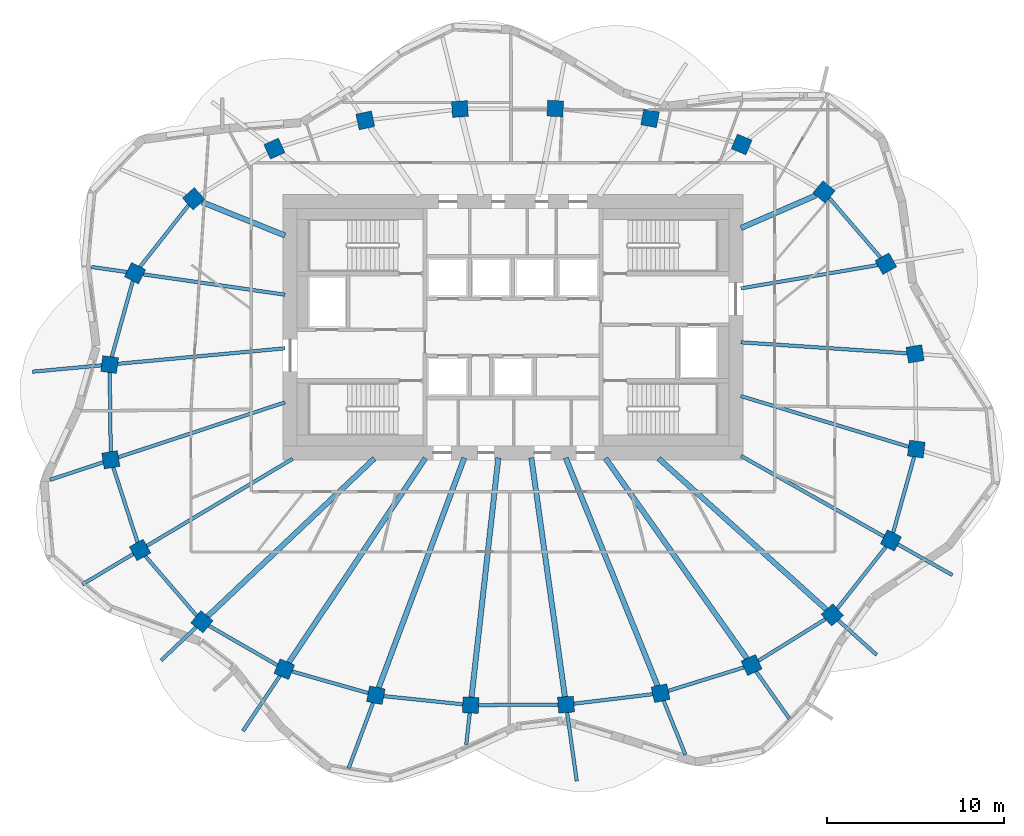
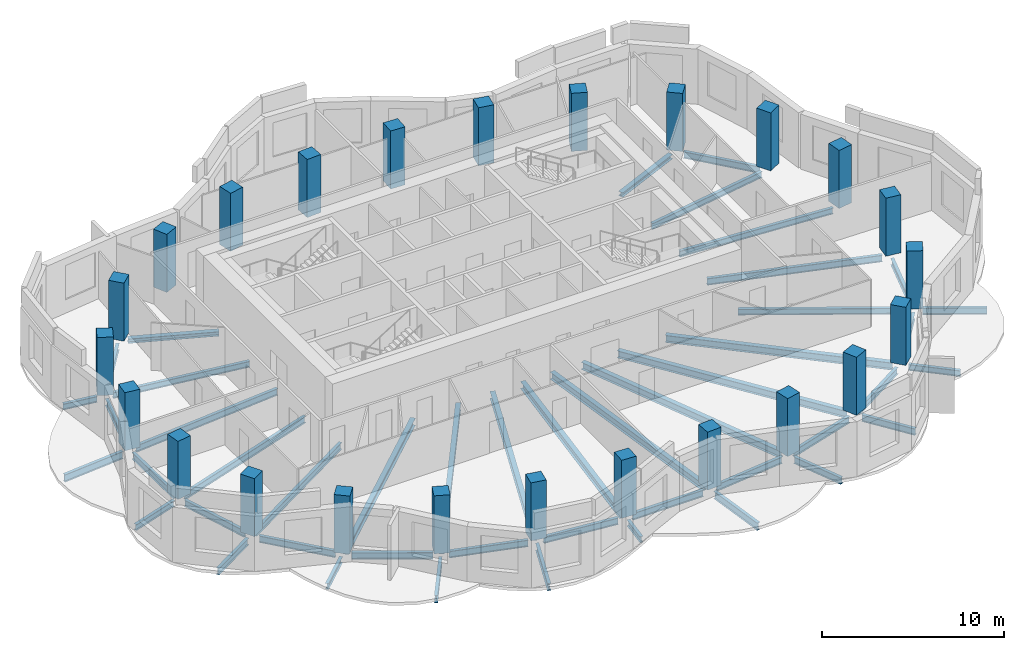
# One storey, part 1 of 10: 46 beams, 24 columns.
"""IFC4 building model written with IfcOpenShell, lengths in metres."""

from ifc_helpers import new_model, si_unit, direction, frame, origin, origin_2d, place, context, subcontext, project, spatial, rectangle, i_section, extrude, material, material_profile, profile_set, type_object, element, save


model = new_model("IFC4")

# Units and contexts
model_context = context("Model", 3, precision=1e-05, world=origin(), true_north=direction((0.0, 1.0)))
body_context = subcontext(model_context, "Body", "Model", "MODEL_VIEW")
ifc_project = project(units=[si_unit("LENGTHUNIT", "METRE"), si_unit("AREAUNIT", "SQUARE_METRE"), si_unit("VOLUMEUNIT", "CUBIC_METRE"), si_unit("PLANEANGLEUNIT", "RADIAN"), si_unit("MASSUNIT", "GRAM", prefix="KILO")], contexts=[model_context])

# Site, building, storey
site_placement = place(None, origin())
site = spatial("IfcSite", under=ifc_project, at=site_placement, CompositionType="ELEMENT")
building_placement = place(site_placement, origin())
building = spatial("IfcBuilding", under=site, at=building_placement, Name="Rubra Terraces Tower", CompositionType="ELEMENT")
storey_placement = place(building_placement, frame((0.0, 0.0, 296.10009765625)))
storey = spatial("IfcBuildingStorey", under=building, at=storey_placement, Name="L73", CompositionType="ELEMENT", Elevation=296.10009765625)

# Columns
ifc_material_1 = material(Name="Concrete C50", Category="concrete")
ifc_material_profile_1 = material_profile(ifc_material_1, rectangle(XDim=0.89990234375, YDim=0.89990234375, at=origin_2d()), Name="RC 900x900")
ifc_profile_set_1 = profile_set([ifc_material_profile_1], Name="Concrete C50")
column_type = type_object("IfcColumnType", Name="RING COLUMN RC 900x900 C50", PredefinedType="COLUMN", material=ifc_profile_set_1)
for number, where, z_axis, x_axis, name in (
    (1, (22.73388671875, 2.992919921875, 0.0), (0.0, 0.0, 1.0), (-0.162062155721, 0.986780551938, 0.0), "column-L73-ring-01"),
    (2, (21.0810546875, 8.090087890625, 0.0), (0.0, 0.0, 1.0), (-0.490161823029, 0.8716314515, 0.0), "column-L73-ring-02"),
    (3, (17.583984375, 12.15087890625, 0.0), (0.0, 0.0, 1.0), (-0.770679191336, 0.637223339216, 0.0), "column-L73-ring-03"),
    (4, (12.927001953125, 14.83203125, 0.0), (0.0, 0.0, 1.0), (-0.92110553102, 0.389312985558, 0.0), "column-L73-ring-04"),
    (5, (7.7509765625, 16.306884765625, 0.0), (0.0, 0.0, 1.0), (-0.981936574306, 0.189210369799, 0.0), "column-L73-ring-05"),
    (6, (2.39208984375, 16.862060546875, 0.0), (0.0, 0.0, 1.0), (-0.998791416829, 0.049149828786, 0.0), "column-L73-ring-06"),
    (7, (-2.9990234375, 16.8359375, 0.0), (0.0, 0.0, 1.0), (-0.998059443319, -0.062268351524, 0.0), "column-L73-ring-07"),
    (8, (-8.346923828125, 16.19189453125, 0.0), (0.0, 0.0, 1.0), (-0.977944102772, -0.208866780156, 0.0), "column-L73-ring-08"),
    (9, (-13.487060546875, 14.595947265625, 0.0), (0.0, 0.0, 1.0), (-0.90972649622, -0.415208022652, 0.0), "column-L73-ring-09"),
    (10, (-18.051025390625, 11.762939453125, 0.0), (0.0, 0.0, 1.0), (-0.7456420961, -0.66634665492, 0.0), "column-L73-ring-10"),
    (11, (-21.366943359375, 7.553955078125, 0.0), (0.0, 0.0, 1.0), (-0.452078869866, -0.891977968013, 0.0), "column-L73-ring-11"),
    (12, (-22.802001953125, 2.388916015625, 0.0), (0.0, 0.0, 1.0), (-0.128535191473, -0.991704948336, 0.0), "column-L73-ring-12"),
    (13, (-22.73388671875, -2.992919921875, 0.0), (0.0, 0.0, 1.0), (0.162062155721, -0.986780551938, 0.0), "column-L73-ring-13"),
    (14, (-21.0810546875, -8.090087890625, 0.0), (0.0, 0.0, 1.0), (0.490161823029, -0.8716314515, 0.0), "column-L73-ring-14"),
    (15, (-17.583984375, -12.15087890625, 0.0), (0.0, 0.0, 1.0), (0.770679191336, -0.637223339216, 0.0), "column-L73-ring-15"),
    (16, (-12.927001953125, -14.83203125, 0.0), (0.0, 0.0, 1.0), (0.92110553102, -0.389312985558, 0.0), "column-L73-ring-16"),
    (17, (-7.7509765625, -16.306884765625, 0.0), (0.0, 0.0, 1.0), (0.981936574306, -0.189210369799, 0.0), "column-L73-ring-17"),
    (18, (-2.39208984375, -16.862060546875, 0.0), (0.0, 0.0, 1.0), (0.998791416829, -0.049149828786, 0.0), "column-L73-ring-18"),
    (19, (2.9990234375, -16.8359375, 0.0), (0.0, 0.0, 1.0), (0.998059443319, 0.062268351524, 0.0), "column-L73-ring-19"),
    (20, (8.346923828125, -16.19189453125, 0.0), (0.0, 0.0, 1.0), (0.977944102772, 0.208866780156, 0.0), "column-L73-ring-20"),
    (21, (13.487060546875, -14.595947265625, 0.0), (0.0, 0.0, 1.0), (0.90972649622, 0.415208022652, 0.0), "column-L73-ring-21"),
    (22, (18.051025390625, -11.762939453125, 0.0), (0.0, 0.0, 1.0), (0.7456420961, 0.66634665492, 0.0), "column-L73-ring-22"),
    (23, (21.366943359375, -7.553955078125, 0.0), (0.0, 0.0, 1.0), (0.452078869866, 0.891977968013, 0.0), "column-L73-ring-23"),
    (24, (22.802001953125, -2.388916015625, 0.0), (0.0, 0.0, 1.0), (0.128535191473, 0.991704948336, 0.0), "column-L73-ring-24"),
):
    element("IfcColumn", number, at=place(storey_placement, frame(where, z_axis=z_axis, x_axis=x_axis)), inside=storey, type_object=column_type, Name=name, PredefinedType="COLUMN", context=body_context, shape_type="SweptSolid", body=[
        extrude(rectangle(XDim=0.89990234375, YDim=0.89990234375, at=origin_2d()), origin(), (0.0, 0.0, 1.0), 3.89990234375),
    ])

# Beams
ifc_material_2 = material(Name="Steel Q355B", Category="steel")
ifc_material_profile_2 = material_profile(ifc_material_2, i_section(OverallWidth=0.199951171875, OverallDepth=0.39990234375, WebThickness=0.008056640625, FlangeThickness=0.012939453125, at=origin_2d()), Name="HN 400x200x8x13")
ifc_profile_set_2 = profile_set([ifc_material_profile_2], Name="Steel Q355B")
beam_type_1 = type_object("IfcBeamType", Name="CANTILEVER BEAM HN 400x200x8x13", PredefinedType="BEAM", material=ifc_profile_set_2)
beam_1_placement = place(storey_placement, frame((-21.8369140625, 7.62109375, -0.400146484375), z_axis=(-0.989964120176, 0.141318932785, 0.0), x_axis=(-0.141318932785, -0.989964120176, 0.0)))
element("IfcBeam", 25, at=beam_1_placement, inside=storey, type_object=beam_type_1, Name="beam-L73-cant-11", PredefinedType="BEAM", context=body_context, shape_type="SweptSolid", body=[
    extrude(i_section(OverallWidth=0.199951171875, OverallDepth=0.39990234375, WebThickness=0.008056640625, FlangeThickness=0.012939453125, at=origin_2d()), origin(), (0.0, 0.0, 1.0), 2.002197265625),
])
beam_2_placement = place(storey_placement, frame((-23.1669921875, -3.135986328125, -0.400146484375), z_axis=(-0.949818780209, -0.312800710935, 0.0), x_axis=(0.312800710935, -0.949818780209, 0.0)))
element("IfcBeam", 26, at=beam_2_placement, inside=storey, type_object=beam_type_1, Name="beam-L73-cant-13", PredefinedType="BEAM", context=body_context, shape_type="SweptSolid", body=[
    extrude(i_section(OverallWidth=0.199951171875, OverallDepth=0.39990234375, WebThickness=0.008056640625, FlangeThickness=0.012939453125, at=origin_2d()), origin(), (0.0, 0.0, 1.0), 3.1650390625),
])
beam_3_placement = place(storey_placement, frame((-17.9130859375, -12.462890625, -0.400146484375), z_axis=(-0.726108422197, -0.687580220203, 0.0), x_axis=(0.687580220203, -0.726108422197, 0.0)))
element("IfcBeam", 27, at=beam_3_placement, inside=storey, type_object=beam_type_1, Name="beam-L73-cant-15", PredefinedType="BEAM", context=body_context, shape_type="SweptSolid", body=[
    extrude(i_section(OverallWidth=0.199951171875, OverallDepth=0.39990234375, WebThickness=0.008056640625, FlangeThickness=0.012939453125, at=origin_2d()), origin(), (0.0, 0.0, 1.0), 2.718505859375),
])
beam_4_placement = place(storey_placement, frame((-2.44189453125, -17.31005859375, -0.400146484375), z_axis=(-0.111702290229, -0.99374171612, 0.0), x_axis=(0.99374171612, -0.111702290229, 0.0)))
element("IfcBeam", 28, at=beam_4_placement, inside=storey, type_object=beam_type_1, Name="beam-L73-cant-18", PredefinedType="BEAM", context=body_context, shape_type="SweptSolid", body=[
    extrude(i_section(OverallWidth=0.199951171875, OverallDepth=0.39990234375, WebThickness=0.008056640625, FlangeThickness=0.012939453125, at=origin_2d()), origin(), (0.0, 0.0, 1.0), 1.792236328125),
])
beam_5_placement = place(storey_placement, frame((18.386962890625, -12.06591796875, -0.400146484375), z_axis=(0.742932803454, -0.669366005674, 0.0), x_axis=(0.669366005674, 0.742932803454, 0.0)))
element("IfcBeam", 29, at=beam_5_placement, inside=storey, type_object=beam_type_1, Name="beam-L73-cant-22", PredefinedType="BEAM", context=body_context, shape_type="SweptSolid", body=[
    extrude(i_section(OverallWidth=0.199951171875, OverallDepth=0.39990234375, WebThickness=0.008056640625, FlangeThickness=0.012939453125, at=origin_2d()), origin(), (0.0, 0.0, 1.0), 2.923828125),
])
ifc_material_profile_3 = material_profile(ifc_material_2, i_section(OverallWidth=0.198974609375, OverallDepth=0.446044921875, WebThickness=0.008056640625, FlangeThickness=0.011962890625, at=origin_2d()), Name="HN 446x199x8x12")
ifc_profile_set_3 = profile_set([ifc_material_profile_3], Name="Steel Q355B")
beam_type_2 = type_object("IfcBeamType", Name="CANTILEVER BEAM HN 446x199x8x12", PredefinedType="BEAM", material=ifc_profile_set_3)
beam_6_placement = place(storey_placement, frame((-21.467041015625, -8.321044921875, -0.423095703125), z_axis=(-0.858537929112, -0.51275006024, 0.0), x_axis=(0.51275006024, -0.858537929112, 0.0)))
element("IfcBeam", 30, at=beam_6_placement, inside=storey, type_object=beam_type_2, Name="beam-L73-cant-14", PredefinedType="BEAM", context=body_context, shape_type="SweptSolid", body=[
    extrude(i_section(OverallWidth=0.198974609375, OverallDepth=0.446044921875, WebThickness=0.008056640625, FlangeThickness=0.011962890625, at=origin_2d()), origin(), (0.0, 0.0, 1.0), 3.3544921875),
])
beam_7_placement = place(storey_placement, frame((8.51806640625, -16.615966796875, -0.423095703125), z_axis=(0.374201866124, -0.927347272271, 0.0), x_axis=(0.927347272271, 0.374201866124, 0.0)))
element("IfcBeam", 31, at=beam_7_placement, inside=storey, type_object=beam_type_2, Name="beam-L73-cant-20", PredefinedType="BEAM", context=body_context, shape_type="SweptSolid", body=[
    extrude(i_section(OverallWidth=0.198974609375, OverallDepth=0.446044921875, WebThickness=0.008056640625, FlangeThickness=0.011962890625, at=origin_2d()), origin(), (0.0, 0.0, 1.0), 3.292236328125),
])
beam_8_placement = place(storey_placement, frame((13.7509765625, -14.969970703125, -0.423095703125), z_axis=(0.576765924667, -0.816909461411, 0.0), x_axis=(0.816909461411, 0.576765924667, 0.0)))
element("IfcBeam", 32, at=beam_8_placement, inside=storey, type_object=beam_type_2, Name="beam-L73-cant-21", PredefinedType="BEAM", context=body_context, shape_type="SweptSolid", body=[
    extrude(i_section(OverallWidth=0.198974609375, OverallDepth=0.446044921875, WebThickness=0.008056640625, FlangeThickness=0.011962890625, at=origin_2d()), origin(), (0.0, 0.0, 1.0), 3.244140625),
])
beam_9_placement = place(storey_placement, frame((21.759033203125, -7.77490234375, -0.423095703125), z_axis=(0.870945880777, -0.49137895026, 0.0), x_axis=(0.49137895026, 0.870945880777, 0.0)))
element("IfcBeam", 33, at=beam_9_placement, inside=storey, type_object=beam_type_2, Name="beam-L73-cant-23", PredefinedType="BEAM", context=body_context, shape_type="SweptSolid", body=[
    extrude(i_section(OverallWidth=0.198974609375, OverallDepth=0.446044921875, WebThickness=0.008056640625, FlangeThickness=0.011962890625, at=origin_2d()), origin(), (0.0, 0.0, 1.0), 3.53515625),
])
ifc_material_profile_4 = material_profile(ifc_material_2, i_section(OverallWidth=0.198974609375, OverallDepth=0.49609375, WebThickness=0.009033203125, FlangeThickness=0.013916015625, at=origin_2d()), Name="HN 496x199x9x14")
ifc_profile_set_4 = profile_set([ifc_material_profile_4], Name="Steel Q355B")
beam_type_3 = type_object("IfcBeamType", Name="CANTILEVER BEAM HN 496x199x9x14", PredefinedType="BEAM", material=ifc_profile_set_4)
beam_10_placement = place(storey_placement, frame((-23.260986328125, 2.345947265625, -0.447998046875), z_axis=(-0.995751576587, -0.092080387299, 0.0), x_axis=(0.092080387299, -0.995751576587, 0.0)))
element("IfcBeam", 34, at=beam_10_placement, inside=storey, type_object=beam_type_3, Name="beam-L73-cant-12", PredefinedType="BEAM", context=body_context, shape_type="SweptSolid", body=[
    extrude(i_section(OverallWidth=0.198974609375, OverallDepth=0.49609375, WebThickness=0.009033203125, FlangeThickness=0.013916015625, at=origin_2d()), origin(), (0.0, 0.0, 1.0), 3.918701171875),
])
beam_11_placement = place(storey_placement, frame((-13.181884765625, -15.212890625, -0.447998046875), z_axis=(-0.555692252439, -0.831388068582, 0.0), x_axis=(0.831388068582, -0.555692252439, 0.0)))
element("IfcBeam", 35, at=beam_11_placement, inside=storey, type_object=beam_type_3, Name="beam-L73-cant-16", PredefinedType="BEAM", context=body_context, shape_type="SweptSolid", body=[
    extrude(i_section(OverallWidth=0.198974609375, OverallDepth=0.49609375, WebThickness=0.009033203125, FlangeThickness=0.013916015625, at=origin_2d()), origin(), (0.0, 0.0, 1.0), 3.746826171875),
])
beam_12_placement = place(storey_placement, frame((-7.909912109375, -16.735107421875, -0.447998046875), z_axis=(-0.349192039845, -0.937051182865, 0.0), x_axis=(0.937051182865, -0.349192039845, 0.0)))
element("IfcBeam", 36, at=beam_12_placement, inside=storey, type_object=beam_type_3, Name="beam-L73-cant-17", PredefinedType="BEAM", context=body_context, shape_type="SweptSolid", body=[
    extrude(i_section(OverallWidth=0.198974609375, OverallDepth=0.49609375, WebThickness=0.009033203125, FlangeThickness=0.013916015625, at=origin_2d()), origin(), (0.0, 0.0, 1.0), 3.949462890625),
])
beam_13_placement = place(storey_placement, frame((3.06201171875, -17.282958984375, -0.447998046875), z_axis=(0.139113240656, -0.990276479714, 0.0), x_axis=(0.990276479714, 0.139113240656, 0.0)))
element("IfcBeam", 37, at=beam_13_placement, inside=storey, type_object=beam_type_3, Name="beam-L73-cant-19", PredefinedType="BEAM", context=body_context, shape_type="SweptSolid", body=[
    extrude(i_section(OverallWidth=0.198974609375, OverallDepth=0.49609375, WebThickness=0.009033203125, FlangeThickness=0.013916015625, at=origin_2d()), origin(), (0.0, 0.0, 1.0), 3.91015625),
])
ifc_material_profile_5 = material_profile(ifc_material_2, i_section(OverallWidth=0.300048828125, OverallDepth=0.48193359375, WebThickness=0.010986328125, FlangeThickness=0.014892578125, at=origin_2d()), Name="HM 482x300x11x15")
ifc_profile_set_5 = profile_set([ifc_material_profile_5], Name="Steel Q355B")
beam_type_4 = type_object("IfcBeamType", Name="FLOOR BEAM HM 482x300x11x15", PredefinedType="BEAM", material=ifc_profile_set_5)
beam_14_placement = place(storey_placement, frame((-17.2548828125, -11.839111328125, -0.441162109375), z_axis=(0.726101482513, 0.687587548674, 0.0), x_axis=(-0.687587548674, 0.726101482513, 0.0)))
element("IfcBeam", 38, at=beam_14_placement, inside=storey, type_object=beam_type_4, Name="beam-L73-floor-15", PredefinedType="BEAM", context=body_context, shape_type="SweptSolid", body=[
    extrude(i_section(OverallWidth=0.300048828125, OverallDepth=0.48193359375, WebThickness=0.010986328125, FlangeThickness=0.014892578125, at=origin_2d()), origin(), (0.0, 0.0, 1.0), 12.97607421875),
])
beam_15_placement = place(storey_placement, frame((-12.672119140625, -14.450927734375, -0.441162109375), z_axis=(0.55586735335, 0.831271006038, 0.0), x_axis=(-0.831271006038, 0.55586735335, 0.0)))
element("IfcBeam", 39, at=beam_15_placement, inside=storey, type_object=beam_type_4, Name="beam-L73-floor-16", PredefinedType="BEAM", context=body_context, shape_type="SweptSolid", body=[
    extrude(i_section(OverallWidth=0.300048828125, OverallDepth=0.48193359375, WebThickness=0.010986328125, FlangeThickness=0.014892578125, at=origin_2d()), origin(), (0.0, 0.0, 1.0), 13.8955078125),
])
beam_16_placement = place(storey_placement, frame((-7.592041015625, -15.87890625, -0.441162109375), z_axis=(0.349129035616, 0.937074658973, 0.0), x_axis=(-0.937074658973, 0.349129035616, 0.0)))
element("IfcBeam", 40, at=beam_16_placement, inside=storey, type_object=beam_type_4, Name="beam-L73-floor-17", PredefinedType="BEAM", context=body_context, shape_type="SweptSolid", body=[
    extrude(i_section(OverallWidth=0.300048828125, OverallDepth=0.48193359375, WebThickness=0.010986328125, FlangeThickness=0.014892578125, at=origin_2d()), origin(), (0.0, 0.0, 1.0), 13.86328125),
])
beam_17_placement = place(storey_placement, frame((-2.342041015625, -16.4140625, -0.441162109375), z_axis=(0.111334672678, 0.993782969596, 0.0), x_axis=(-0.993782969596, 0.111334672678, 0.0)))
element("IfcBeam", 41, at=beam_17_placement, inside=storey, type_object=beam_type_4, Name="beam-L73-floor-18", PredefinedType="BEAM", context=body_context, shape_type="SweptSolid", body=[
    extrude(i_section(OverallWidth=0.300048828125, OverallDepth=0.48193359375, WebThickness=0.010986328125, FlangeThickness=0.014892578125, at=origin_2d()), origin(), (0.0, 0.0, 1.0), 13.61767578125),
])
beam_18_placement = place(storey_placement, frame((2.93603515625, -16.388916015625, -0.441162109375), z_axis=(-0.139140748081, 0.990272615103, 0.0), x_axis=(-0.990272615103, -0.139140748081, 0.0)))
element("IfcBeam", 42, at=beam_18_placement, inside=storey, type_object=beam_type_4, Name="beam-L73-floor-19", PredefinedType="BEAM", context=body_context, shape_type="SweptSolid", body=[
    extrude(i_section(OverallWidth=0.300048828125, OverallDepth=0.48193359375, WebThickness=0.010986328125, FlangeThickness=0.014892578125, at=origin_2d()), origin(), (0.0, 0.0, 1.0), 13.640380859375),
])
beam_19_placement = place(storey_placement, frame((8.176025390625, -15.76806640625, -0.441162109375), z_axis=(-0.374083693877, 0.927394948215, 0.0), x_axis=(-0.927394948215, -0.374083693877, 0.0)))
element("IfcBeam", 43, at=beam_19_placement, inside=storey, type_object=beam_type_4, Name="beam-L73-floor-20", PredefinedType="BEAM", context=body_context, shape_type="SweptSolid", body=[
    extrude(i_section(OverallWidth=0.300048828125, OverallDepth=0.48193359375, WebThickness=0.010986328125, FlangeThickness=0.014892578125, at=origin_2d()), origin(), (0.0, 0.0, 1.0), 13.887451171875),
])
beam_20_placement = place(storey_placement, frame((13.222900390625, -14.221923828125, -0.441162109375), z_axis=(-0.576895514811, 0.816817950948, 0.0), x_axis=(-0.816817950948, -0.576895514811, 0.0)))
element("IfcBeam", 44, at=beam_20_placement, inside=storey, type_object=beam_type_4, Name="beam-L73-floor-21", PredefinedType="BEAM", context=body_context, shape_type="SweptSolid", body=[
    extrude(i_section(OverallWidth=0.300048828125, OverallDepth=0.48193359375, WebThickness=0.010986328125, FlangeThickness=0.014892578125, at=origin_2d()), origin(), (0.0, 0.0, 1.0), 13.8583984375),
])
beam_21_placement = place(storey_placement, frame((17.715087890625, -11.4599609375, -0.441162109375), z_axis=(-0.742980094736, 0.669313513105, 0.0), x_axis=(-0.669313513105, -0.742980094736, 0.0)))
element("IfcBeam", 45, at=beam_21_placement, inside=storey, type_object=beam_type_4, Name="beam-L73-floor-22", PredefinedType="BEAM", context=body_context, shape_type="SweptSolid", body=[
    extrude(i_section(OverallWidth=0.300048828125, OverallDepth=0.48193359375, WebThickness=0.010986328125, FlangeThickness=0.014892578125, at=origin_2d()), origin(), (0.0, 0.0, 1.0), 12.759521484375),
])
ifc_material_profile_6 = material_profile(ifc_material_2, i_section(OverallWidth=0.199951171875, OverallDepth=0.39990234375, WebThickness=0.008056640625, FlangeThickness=0.012939453125, at=origin_2d()), Name="HN 400x200x8x13")
ifc_profile_set_6 = profile_set([ifc_material_profile_6], Name="Steel Q355B")
beam_type_5 = type_object("IfcBeamType", Name="FLOOR BEAM HN 400x200x8x13", PredefinedType="BEAM", material=ifc_profile_set_6)
beam_22_placement = place(storey_placement, frame((22.27294921875, 3.02392578125, -0.400146484375), z_axis=(-0.997814209988, 0.066081785285, 0.0), x_axis=(-0.066081785285, -0.997814209988, 0.0)))
element("IfcBeam", 46, at=beam_22_placement, inside=storey, type_object=beam_type_5, Name="beam-L73-floor-01", PredefinedType="BEAM", context=body_context, shape_type="SweptSolid", body=[
    extrude(i_section(OverallWidth=0.199951171875, OverallDepth=0.39990234375, WebThickness=0.008056640625, FlangeThickness=0.012939453125, at=origin_2d()), origin(), (0.0, 0.0, 1.0), 9.41357421875),
])
beam_23_placement = place(storey_placement, frame((20.610107421875, 8.010009765625, -0.400146484375), z_axis=(-0.985810425856, -0.167862456415, 0.0), x_axis=(0.167862456415, -0.985810425856, 0.0)))
element("IfcBeam", 47, at=beam_23_placement, inside=storey, type_object=beam_type_5, Name="beam-L73-floor-02", PredefinedType="BEAM", context=body_context, shape_type="SweptSolid", body=[
    extrude(i_section(OverallWidth=0.199951171875, OverallDepth=0.39990234375, WebThickness=0.008056640625, FlangeThickness=0.012939453125, at=origin_2d()), origin(), (0.0, 0.0, 1.0), 7.83935546875),
])
beam_24_placement = place(storey_placement, frame((-20.89697265625, 7.487060546875, -0.400146484375), z_axis=(0.98993441274, -0.141526882509, 0.0), x_axis=(0.141526882509, 0.98993441274, 0.0)))
element("IfcBeam", 48, at=beam_24_placement, inside=storey, type_object=beam_type_5, Name="beam-L73-floor-11", PredefinedType="BEAM", context=body_context, shape_type="SweptSolid", body=[
    extrude(i_section(OverallWidth=0.199951171875, OverallDepth=0.39990234375, WebThickness=0.008056640625, FlangeThickness=0.012939453125, at=origin_2d()), origin(), (0.0, 0.0, 1.0), 8.097412109375),
])
beam_25_placement = place(storey_placement, frame((20.97509765625, -7.3330078125, -0.400146484375), z_axis=(-0.870973270007, 0.491330400986, 0.0), x_axis=(-0.491330400986, -0.870973270007, 0.0)))
element("IfcBeam", 49, at=beam_25_placement, inside=storey, type_object=beam_type_5, Name="beam-L73-floor-23", PredefinedType="BEAM", context=body_context, shape_type="SweptSolid", body=[
    extrude(i_section(OverallWidth=0.199951171875, OverallDepth=0.39990234375, WebThickness=0.008056640625, FlangeThickness=0.012939453125, at=origin_2d()), origin(), (0.0, 0.0, 1.0), 9.277099609375),
])
ifc_material_profile_7 = material_profile(ifc_material_2, i_section(OverallWidth=0.198974609375, OverallDepth=0.446044921875, WebThickness=0.008056640625, FlangeThickness=0.011962890625, at=origin_2d()), Name="HN 446x199x8x12")
ifc_profile_set_7 = profile_set([ifc_material_profile_7], Name="Steel Q355B")
beam_type_6 = type_object("IfcBeamType", Name="FLOOR BEAM HN 446x199x8x12", PredefinedType="BEAM", material=ifc_profile_set_7)
beam_26_placement = place(storey_placement, frame((-22.343017578125, 2.431884765625, -0.423095703125), z_axis=(0.995739538303, 0.092210475874, 0.0), x_axis=(-0.092210475874, 0.995739538303, 0.0)))
element("IfcBeam", 50, at=beam_26_placement, inside=storey, type_object=beam_type_6, Name="beam-L73-floor-12", PredefinedType="BEAM", context=body_context, shape_type="SweptSolid", body=[
    extrude(i_section(OverallWidth=0.198974609375, OverallDepth=0.446044921875, WebThickness=0.008056640625, FlangeThickness=0.011962890625, at=origin_2d()), origin(), (0.0, 0.0, 1.0), 9.50244140625),
])
beam_27_placement = place(storey_placement, frame((-22.301025390625, -2.85009765625, -0.423095703125), z_axis=(0.949746725795, 0.313019419273, 0.0), x_axis=(-0.313019419273, 0.949746725795, 0.0)))
element("IfcBeam", 51, at=beam_27_placement, inside=storey, type_object=beam_type_6, Name="beam-L73-floor-13", PredefinedType="BEAM", context=body_context, shape_type="SweptSolid", body=[
    extrude(i_section(OverallWidth=0.198974609375, OverallDepth=0.446044921875, WebThickness=0.008056640625, FlangeThickness=0.011962890625, at=origin_2d()), origin(), (0.0, 0.0, 1.0), 9.913330078125),
])
beam_28_placement = place(storey_placement, frame((-20.695068359375, -7.85888671875, -0.423095703125), z_axis=(0.858552756119, 0.512725233396, 0.0), x_axis=(-0.512725233396, 0.858552756119, 0.0)))
element("IfcBeam", 52, at=beam_28_placement, inside=storey, type_object=beam_type_6, Name="beam-L73-floor-14", PredefinedType="BEAM", context=body_context, shape_type="SweptSolid", body=[
    extrude(i_section(OverallWidth=0.198974609375, OverallDepth=0.446044921875, WebThickness=0.008056640625, FlangeThickness=0.011962890625, at=origin_2d()), origin(), (0.0, 0.0, 1.0), 9.59765625),
])
beam_29_placement = place(storey_placement, frame((22.364990234375, -2.257080078125, -0.423095703125), z_axis=(-0.957268105474, 0.289201960992, 0.0), x_axis=(-0.289201960992, -0.957268105474, 0.0)))
element("IfcBeam", 53, at=beam_29_placement, inside=storey, type_object=beam_type_6, Name="beam-L73-floor-24", PredefinedType="BEAM", context=body_context, shape_type="SweptSolid", body=[
    extrude(i_section(OverallWidth=0.198974609375, OverallDepth=0.446044921875, WebThickness=0.008056640625, FlangeThickness=0.011962890625, at=origin_2d()), origin(), (0.0, 0.0, 1.0), 9.903076171875),
])
ifc_material_profile_8 = material_profile(ifc_material_2, i_section(OverallWidth=0.304931640625, OverallDepth=0.300048828125, WebThickness=0.014892578125, FlangeThickness=0.014892578125, at=origin_2d()), Name="HW 300x305x15x15")
ifc_profile_set_8 = profile_set([ifc_material_profile_8], Name="Steel Q355B")
beam_type_7 = type_object("IfcBeamType", Name="FLOOR BEAM HW 300x305x15x15", PredefinedType="BEAM", material=ifc_profile_set_8)
beam_30_placement = place(storey_placement, frame((17.12109375, 11.949951171875, -0.35009765625), z_axis=(-0.916958146743, -0.398983404569, 0.0), x_axis=(0.398983404569, -0.916958146743, 0.0)))
element("IfcBeam", 54, at=beam_30_placement, inside=storey, type_object=beam_type_7, Name="beam-L73-floor-03", PredefinedType="BEAM", context=body_context, shape_type="SweptSolid", body=[
    extrude(i_section(OverallWidth=0.304931640625, OverallDepth=0.300048828125, WebThickness=0.014892578125, FlangeThickness=0.014892578125, at=origin_2d()), origin(), (0.0, 0.0, 1.0), 4.614501953125),
])
beam_31_placement = place(storey_placement, frame((-17.5849609375, 11.575927734375, -0.35009765625), z_axis=(0.927692985207, -0.373343977047, 0.0), x_axis=(0.373343977047, 0.927692985207, 0.0)))
element("IfcBeam", 55, at=beam_31_placement, inside=storey, type_object=beam_type_7, Name="beam-L73-floor-10", PredefinedType="BEAM", context=body_context, shape_type="SweptSolid", body=[
    extrude(i_section(OverallWidth=0.304931640625, OverallDepth=0.300048828125, WebThickness=0.014892578125, FlangeThickness=0.014892578125, at=origin_2d()), origin(), (0.0, 0.0, 1.0), 5.06201171875),
])
ifc_material_profile_9 = material_profile(ifc_material_2, i_section(OverallWidth=0.198974609375, OverallDepth=0.446044921875, WebThickness=0.008056640625, FlangeThickness=0.011962890625, at=origin_2d()), Name="HN 446x199x8x12")
ifc_profile_set_9 = profile_set([ifc_material_profile_9], Name="Steel Q355B")
beam_type_8 = type_object("IfcBeamType", Name="SPANDREL BEAM HN 446x199x8x12", PredefinedType="SPANDREL", material=ifc_profile_set_9)
beam_32_placement = place(storey_placement, frame((20.781005859375, 8.43798828125, -0.423095703125), z_axis=(-0.652473175209, 0.757811820726, 0.0), x_axis=(-0.757811820726, -0.652473175209, 0.0)))
element("IfcBeam", 56, at=beam_32_placement, inside=storey, type_object=beam_type_8, Name="beam-L73-spandrel-02", PredefinedType="SPANDREL", context=body_context, shape_type="SweptSolid", body=[
    extrude(i_section(OverallWidth=0.198974609375, OverallDepth=0.446044921875, WebThickness=0.008056640625, FlangeThickness=0.011962890625, at=origin_2d()), origin(), (0.0, 0.0, 1.0), 4.44287109375),
])
beam_33_placement = place(storey_placement, frame((-18.333984375, 11.404052734375, -0.423095703125), z_axis=(-0.61888661349, -0.785480336891, 0.0), x_axis=(0.785480336891, -0.61888661349, 0.0)))
element("IfcBeam", 57, at=beam_33_placement, inside=storey, type_object=beam_type_8, Name="beam-L73-spandrel-10", PredefinedType="SPANDREL", context=body_context, shape_type="SweptSolid", body=[
    extrude(i_section(OverallWidth=0.198974609375, OverallDepth=0.446044921875, WebThickness=0.008056640625, FlangeThickness=0.011962890625, at=origin_2d()), origin(), (0.0, 0.0, 1.0), 4.44189453125),
])
beam_34_placement = place(storey_placement, frame((-21.489990234375, 7.112060546875, -0.423095703125), z_axis=(-0.267564585696, -0.963539927809, 0.0), x_axis=(0.963539927809, -0.267564585696, 0.0)))
element("IfcBeam", 58, at=beam_34_placement, inside=storey, type_object=beam_type_8, Name="beam-L73-spandrel-11", PredefinedType="SPANDREL", context=body_context, shape_type="SweptSolid", body=[
    extrude(i_section(OverallWidth=0.198974609375, OverallDepth=0.446044921875, WebThickness=0.008056640625, FlangeThickness=0.011962890625, at=origin_2d()), origin(), (0.0, 0.0, 1.0), 4.447265625),
])
beam_35_placement = place(storey_placement, frame((-22.7958984375, 1.93408203125, -0.423095703125), z_axis=(0.01250038801, -0.999921867097, 0.0), x_axis=(0.999921867097, 0.01250038801, 0.0)))
element("IfcBeam", 59, at=beam_35_placement, inside=storey, type_object=beam_type_8, Name="beam-L73-spandrel-12", PredefinedType="SPANDREL", context=body_context, shape_type="SweptSolid", body=[
    extrude(i_section(OverallWidth=0.198974609375, OverallDepth=0.446044921875, WebThickness=0.008056640625, FlangeThickness=0.011962890625, at=origin_2d()), origin(), (0.0, 0.0, 1.0), 4.472412109375),
])
beam_36_placement = place(storey_placement, frame((-22.593994140625, -3.426025390625, -0.423095703125), z_axis=(0.308536942246, -0.951212360764, 0.0), x_axis=(0.951212360764, 0.308536942246, 0.0)))
element("IfcBeam", 60, at=beam_36_placement, inside=storey, type_object=beam_type_8, Name="beam-L73-spandrel-13", PredefinedType="SPANDREL", context=body_context, shape_type="SweptSolid", body=[
    extrude(i_section(OverallWidth=0.198974609375, OverallDepth=0.446044921875, WebThickness=0.008056640625, FlangeThickness=0.011962890625, at=origin_2d()), origin(), (0.0, 0.0, 1.0), 4.44384765625),
])
beam_37_placement = place(storey_placement, frame((-20.781005859375, -8.43798828125, -0.423095703125), z_axis=(0.652473175209, -0.757811820726, 0.0), x_axis=(0.757811820726, 0.652473175209, 0.0)))
element("IfcBeam", 61, at=beam_37_placement, inside=storey, type_object=beam_type_8, Name="beam-L73-spandrel-14", PredefinedType="SPANDREL", context=body_context, shape_type="SweptSolid", body=[
    extrude(i_section(OverallWidth=0.198974609375, OverallDepth=0.446044921875, WebThickness=0.008056640625, FlangeThickness=0.011962890625, at=origin_2d()), origin(), (0.0, 0.0, 1.0), 4.44287109375),
])
beam_38_placement = place(storey_placement, frame((-17.18798828125, -12.37890625, -0.423095703125), z_axis=(0.866616005945, -0.498975648945, 0.0), x_axis=(0.498975648945, 0.866616005945, 0.0)))
element("IfcBeam", 62, at=beam_38_placement, inside=storey, type_object=beam_type_8, Name="beam-L73-spandrel-15", PredefinedType="SPANDREL", context=body_context, shape_type="SweptSolid", body=[
    extrude(i_section(OverallWidth=0.198974609375, OverallDepth=0.446044921875, WebThickness=0.008056640625, FlangeThickness=0.011962890625, at=origin_2d()), origin(), (0.0, 0.0, 1.0), 4.463134765625),
])
beam_39_placement = place(storey_placement, frame((-12.490966796875, -14.9560546875, -0.423095703125), z_axis=(0.961713024643, -0.27405849418, 0.0), x_axis=(0.27405849418, 0.961713024643, 0.0)))
element("IfcBeam", 63, at=beam_39_placement, inside=storey, type_object=beam_type_8, Name="beam-L73-spandrel-16", PredefinedType="SPANDREL", context=body_context, shape_type="SweptSolid", body=[
    extrude(i_section(OverallWidth=0.198974609375, OverallDepth=0.446044921875, WebThickness=0.008056640625, FlangeThickness=0.011962890625, at=origin_2d()), origin(), (0.0, 0.0, 1.0), 4.477294921875),
])
beam_40_placement = place(storey_placement, frame((-7.302001953125, -16.35400390625, -0.423095703125), z_axis=(0.994684107425, -0.102973425873, 0.0), x_axis=(0.102973425873, 0.994684107425, 0.0)))
element("IfcBeam", 64, at=beam_40_placement, inside=storey, type_object=beam_type_8, Name="beam-L73-spandrel-17", PredefinedType="SPANDREL", context=body_context, shape_type="SweptSolid", body=[
    extrude(i_section(OverallWidth=0.198974609375, OverallDepth=0.446044921875, WebThickness=0.008056640625, FlangeThickness=0.011962890625, at=origin_2d()), origin(), (0.0, 0.0, 1.0), 4.48583984375),
])
beam_41_placement = place(storey_placement, frame((-1.94091796875, -16.860107421875, -0.423095703125), z_axis=(0.999987753188, 0.004949088244, 0.0), x_axis=(-0.004949088244, 0.999987753188, 0.0)))
element("IfcBeam", 65, at=beam_41_placement, inside=storey, type_object=beam_type_8, Name="beam-L73-spandrel-18", PredefinedType="SPANDREL", context=body_context, shape_type="SweptSolid", body=[
    extrude(i_section(OverallWidth=0.198974609375, OverallDepth=0.446044921875, WebThickness=0.008056640625, FlangeThickness=0.011962890625, at=origin_2d()), origin(), (0.0, 0.0, 1.0), 4.489013671875),
])
beam_42_placement = place(storey_placement, frame((3.447021484375, -16.781982421875, -0.423095703125), z_axis=(0.992829862118, 0.119536040116, 0.0), x_axis=(-0.119536040116, 0.992829862118, 0.0)))
element("IfcBeam", 66, at=beam_42_placement, inside=storey, type_object=beam_type_8, Name="beam-L73-spandrel-19", PredefinedType="SPANDREL", context=body_context, shape_type="SweptSolid", body=[
    extrude(i_section(OverallWidth=0.198974609375, OverallDepth=0.446044921875, WebThickness=0.008056640625, FlangeThickness=0.011962890625, at=origin_2d()), origin(), (0.0, 0.0, 1.0), 4.483154296875),
])
beam_43_placement = place(storey_placement, frame((8.779052734375, -16.05810546875, -0.423095703125), z_axis=(0.955035382264, 0.296491852541, 0.0), x_axis=(-0.296491852541, 0.955035382264, 0.0)))
element("IfcBeam", 67, at=beam_43_placement, inside=storey, type_object=beam_type_8, Name="beam-L73-spandrel-20", PredefinedType="SPANDREL", context=body_context, shape_type="SweptSolid", body=[
    extrude(i_section(OverallWidth=0.198974609375, OverallDepth=0.446044921875, WebThickness=0.008056640625, FlangeThickness=0.011962890625, at=origin_2d()), origin(), (0.0, 0.0, 1.0), 4.47607421875),
])
beam_44_placement = place(storey_placement, frame((13.8720703125, -14.35693359375, -0.423095703125), z_axis=(0.849641857012, 0.527360137679, 0.0), x_axis=(-0.527360137679, 0.849641857012, 0.0)))
element("IfcBeam", 68, at=beam_44_placement, inside=storey, type_object=beam_type_8, Name="beam-L73-spandrel-21", PredefinedType="SPANDREL", context=body_context, shape_type="SweptSolid", body=[
    extrude(i_section(OverallWidth=0.198974609375, OverallDepth=0.446044921875, WebThickness=0.008056640625, FlangeThickness=0.011962890625, at=origin_2d()), origin(), (0.0, 0.0, 1.0), 4.4619140625),
])
beam_45_placement = place(storey_placement, frame((18.333984375, -11.404052734375, -0.423095703125), z_axis=(0.61888661349, 0.785480336891, 0.0), x_axis=(-0.785480336891, 0.61888661349, 0.0)))
element("IfcBeam", 69, at=beam_45_placement, inside=storey, type_object=beam_type_8, Name="beam-L73-spandrel-22", PredefinedType="SPANDREL", context=body_context, shape_type="SweptSolid", body=[
    extrude(i_section(OverallWidth=0.198974609375, OverallDepth=0.446044921875, WebThickness=0.008056640625, FlangeThickness=0.011962890625, at=origin_2d()), origin(), (0.0, 0.0, 1.0), 4.44189453125),
])
beam_46_placement = place(storey_placement, frame((21.489990234375, -7.112060546875, -0.423095703125), z_axis=(0.267564585696, 0.963539927809, 0.0), x_axis=(-0.963539927809, 0.267564585696, 0.0)))
element("IfcBeam", 70, at=beam_46_placement, inside=storey, type_object=beam_type_8, Name="beam-L73-spandrel-23", PredefinedType="SPANDREL", context=body_context, shape_type="SweptSolid", body=[
    extrude(i_section(OverallWidth=0.198974609375, OverallDepth=0.446044921875, WebThickness=0.008056640625, FlangeThickness=0.011962890625, at=origin_2d()), origin(), (0.0, 0.0, 1.0), 4.447265625),
])

save(model, "model.ifc")
